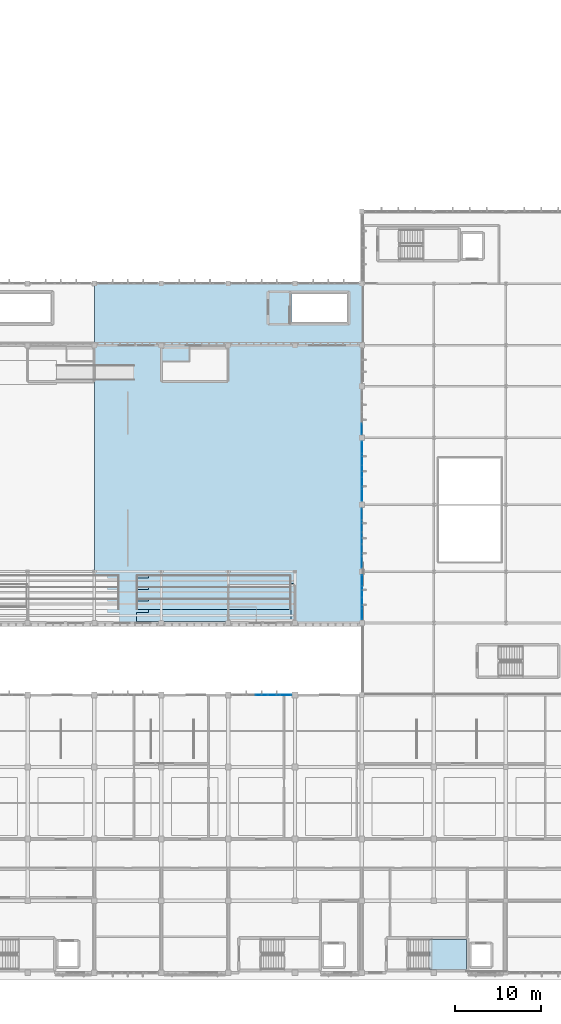
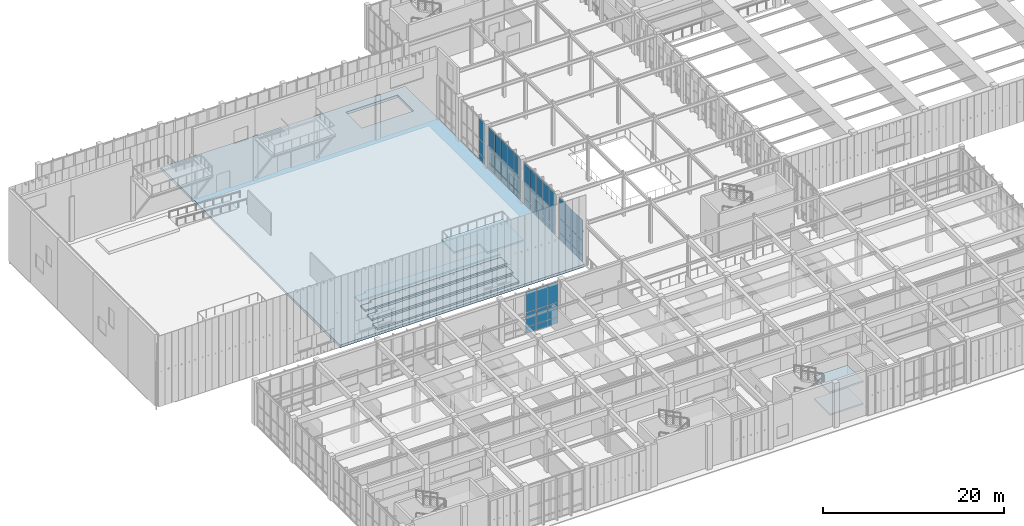
# One storey, part 56 of 105: 54 plates, 8 slabs, 6 elements without a shape of their own.
"""IFC4 building model written with IfcOpenShell, lengths in metres."""

from ifc_helpers import new_model, si_unit, direction, frame, origin, origin_2d, place, context, subcontext, project, spatial, polyline, rectangle, outline, extrude, material, layer, layer_set, type_object, element, aggregate, save


model = new_model("IFC4")

# Units and contexts
model_context = context("Model", 3, precision=1e-05, world=origin(), true_north=direction((0.0, 1.0)))
body_context = subcontext(model_context, "Body", "Model", "MODEL_VIEW")
ifc_project = project(units=[si_unit("LENGTHUNIT", "METRE"), si_unit("AREAUNIT", "SQUARE_METRE"), si_unit("VOLUMEUNIT", "CUBIC_METRE"), si_unit("PLANEANGLEUNIT", "RADIAN"), si_unit("MASSUNIT", "GRAM", prefix="KILO")], contexts=[model_context])

# Site, building, storey
site_placement = place(None, origin())
site = spatial("IfcSite", under=ifc_project, at=site_placement, CompositionType="ELEMENT")
building_placement = place(site_placement, origin())
building = spatial("IfcBuilding", under=site, at=building_placement, Name="Tizgana Railside Sports Hall", CompositionType="ELEMENT")
storey_placement = place(building_placement, frame((0.0, 0.0, 6.0)))
storey = spatial("IfcBuildingStorey", under=building, at=storey_placement, Name="L01", CompositionType="ELEMENT", Elevation=6.0)

# Stair, slabs
ifc_material_1 = material(Name="Concrete C35/45", Category="concrete")
stair_type = type_object("IfcStairType", Name="Spectator Aisle Stair 1400", PredefinedType="HALF_TURN_STAIR", material=ifc_material_1)
stair_placement = place(storey_placement, origin())
stair = element("IfcStair", 1, at=stair_placement, inside=storey, type_object=stair_type, Name="L01 Core Stair ST-03", PredefinedType="HALF_TURN_STAIR")
ifc_layer_1 = layer(ifc_material_1, 0.199951171875, Name="Concrete C35/45")
ifc_layer_set_1 = layer_set([ifc_layer_1], Name="Concrete C35/45")
slab_type_1 = type_object("IfcSlabType", Name="Core Stair Landing Slab 200", PredefinedType="LANDING", material=ifc_layer_set_1)
slab_1_placement = place(storey_placement, frame((0.0, 0.0, 1.300048828125)))
slab_1 = element("IfcSlab", 2, at=slab_1_placement, type_object=slab_type_1, Name="ST-03 landing 1", PredefinedType="LANDING", context=body_context, shape_type="SweptSolid", body=[
    extrude(outline(polyline([(62.52001953125, 0.39990234375), (66.800048828125, 0.39990234375), (66.800048828125, 3.89990234375), (62.52001953125, 3.89990234375), (62.52001953125, 0.39990234375)])), origin(), (0.0, 0.0, 1.0), 0.199951171875),
])
slab_2_placement = place(storey_placement, frame((0.0, 0.0, 4.300048828125)))
slab_2 = element("IfcSlab", 3, at=slab_2_placement, type_object=slab_type_1, Name="ST-03 landing 3", PredefinedType="LANDING", context=body_context, shape_type="SweptSolid", body=[
    extrude(outline(polyline([(62.52001953125, 0.39990234375), (66.800048828125, 0.39990234375), (66.800048828125, 3.89990234375), (62.52001953125, 3.89990234375), (62.52001953125, 0.39990234375)])), origin(), (0.0, 0.0, 1.0), 0.199951171875),
])
aggregate(stair, [slab_1, slab_2])

# Curtain wall, plates
ifc_material_2 = material(Name="Anodised aluminium and glass", Category="aluminium")
curtain_wall_type_1 = type_object("IfcCurtainWallType", Name="Unitised Curtain Wall WestHall 1560", PredefinedType="NOTDEFINED", material=ifc_material_2)
curtain_wall_1_placement = place(storey_placement, origin())
curtain_wall_1 = element("IfcCurtainWall", 4, at=curtain_wall_1_placement, inside=storey, type_object=curtain_wall_type_1, Name="L01 Curtain Wall CW-0094", PredefinedType="NOTDEFINED")
ifc_material_3 = material(Name="Double low-E laminated glass", Category="glass")
ifc_layer_2 = layer(ifc_material_3, 0.0400390625, Name="Double low-E laminated glass")
ifc_layer_set_2 = layer_set([ifc_layer_2], Name="Double low-E laminated glass")
plate_type_1 = type_object("IfcPlateType", Name="High-Span Tempered Glazing Panel 40", PredefinedType="CURTAIN_PANEL", material=ifc_layer_set_2)
plate_1_placement = place(storey_placement, frame((42.89990234375, 32.39990234375, 0.070068359375), z_axis=(0.0, 0.0, 1.0), x_axis=(1.0, 0.0, 0.0)))
plate_1 = element("IfcPlate", 5, at=plate_1_placement, type_object=plate_type_1, Name="CW-07 panel 3.1", PredefinedType="CURTAIN_PANEL", context=body_context, shape_type="SweptSolid", body=[
    extrude(rectangle(XDim=1.337890625, YDim=0.0400390625, at=origin_2d()), origin(), (0.0, 0.0, 1.0), 0.794921875),
])
plate_2_placement = place(storey_placement, frame((42.89990234375, 32.39990234375, 0.93505859375), z_axis=(0.0, 0.0, 1.0), x_axis=(1.0, 0.0, 0.0)))
plate_2 = element("IfcPlate", 6, at=plate_2_placement, type_object=plate_type_1, Name="CW-07 panel 3.2", PredefinedType="CURTAIN_PANEL", context=body_context, shape_type="SweptSolid", body=[
    extrude(rectangle(XDim=1.337890625, YDim=0.0400390625, at=origin_2d()), origin(), (0.0, 0.0, 1.0), 1.889892578125),
])
plate_3_placement = place(storey_placement, frame((42.89990234375, 32.39990234375, 2.89501953125), z_axis=(0.0, 0.0, 1.0), x_axis=(1.0, 0.0, 0.0)))
plate_3 = element("IfcPlate", 7, at=plate_3_placement, type_object=plate_type_1, Name="CW-07 panel 3.3", PredefinedType="CURTAIN_PANEL", context=body_context, shape_type="SweptSolid", body=[
    extrude(rectangle(XDim=1.337890625, YDim=0.0400390625, at=origin_2d()), origin(), (0.0, 0.0, 1.0), 2.7548828125),
])
plate_4_placement = place(storey_placement, frame((44.30810546875, 32.39990234375, 0.070068359375), z_axis=(0.0, 0.0, 1.0), x_axis=(1.0, 0.0, 0.0)))
plate_4 = element("IfcPlate", 8, at=plate_4_placement, type_object=plate_type_1, Name="CW-07 panel 4.1", PredefinedType="CURTAIN_PANEL", context=body_context, shape_type="SweptSolid", body=[
    extrude(rectangle(XDim=1.337890625, YDim=0.0400390625, at=origin_2d()), origin(), (0.0, 0.0, 1.0), 0.794921875),
])
plate_5_placement = place(storey_placement, frame((44.30810546875, 32.39990234375, 0.93505859375), z_axis=(0.0, 0.0, 1.0), x_axis=(1.0, 0.0, 0.0)))
plate_5 = element("IfcPlate", 9, at=plate_5_placement, type_object=plate_type_1, Name="CW-07 panel 4.2", PredefinedType="CURTAIN_PANEL", context=body_context, shape_type="SweptSolid", body=[
    extrude(rectangle(XDim=1.337890625, YDim=0.0400390625, at=origin_2d()), origin(), (0.0, 0.0, 1.0), 1.889892578125),
])
plate_6_placement = place(storey_placement, frame((44.30810546875, 32.39990234375, 2.89501953125), z_axis=(0.0, 0.0, 1.0), x_axis=(1.0, 0.0, 0.0)))
plate_6 = element("IfcPlate", 10, at=plate_6_placement, type_object=plate_type_1, Name="CW-07 panel 4.3", PredefinedType="CURTAIN_PANEL", context=body_context, shape_type="SweptSolid", body=[
    extrude(rectangle(XDim=1.337890625, YDim=0.0400390625, at=origin_2d()), origin(), (0.0, 0.0, 1.0), 2.7548828125),
])
plate_7_placement = place(storey_placement, frame((45.698486328125, 32.39990234375, 0.070068359375), z_axis=(0.0, 0.0, 1.0), x_axis=(1.0, 0.0, 0.0)))
plate_7 = element("IfcPlate", 11, at=plate_7_placement, type_object=plate_type_1, Name="CW-07 panel 5.1", PredefinedType="CURTAIN_PANEL", context=body_context, shape_type="SweptSolid", body=[
    extrude(rectangle(XDim=1.302978515625, YDim=0.0400390625, at=origin_2d()), origin(), (0.0, 0.0, 1.0), 0.794921875),
])
plate_8_placement = place(storey_placement, frame((45.698486328125, 32.39990234375, 0.93505859375), z_axis=(0.0, 0.0, 1.0), x_axis=(1.0, 0.0, 0.0)))
plate_8 = element("IfcPlate", 12, at=plate_8_placement, type_object=plate_type_1, Name="CW-07 panel 5.2", PredefinedType="CURTAIN_PANEL", context=body_context, shape_type="SweptSolid", body=[
    extrude(rectangle(XDim=1.302978515625, YDim=0.0400390625, at=origin_2d()), origin(), (0.0, 0.0, 1.0), 1.889892578125),
])
plate_9_placement = place(storey_placement, frame((45.698486328125, 32.39990234375, 2.89501953125), z_axis=(0.0, 0.0, 1.0), x_axis=(1.0, 0.0, 0.0)))
plate_9 = element("IfcPlate", 13, at=plate_9_placement, type_object=plate_type_1, Name="CW-07 panel 5.3", PredefinedType="CURTAIN_PANEL", context=body_context, shape_type="SweptSolid", body=[
    extrude(rectangle(XDim=1.302978515625, YDim=0.0400390625, at=origin_2d()), origin(), (0.0, 0.0, 1.0), 2.7548828125),
])
aggregate(curtain_wall_1, [plate_1, plate_2, plate_3, plate_4, plate_5, plate_6, plate_7, plate_8, plate_9])

curtain_wall_2_placement = place(storey_placement, origin())
curtain_wall_2 = element("IfcCurtainWall", 14, at=curtain_wall_2_placement, inside=storey, type_object=curtain_wall_type_1, Name="L01 Curtain Wall CW-0158", PredefinedType="NOTDEFINED")
plate_10_placement = place(storey_placement, frame((54.60009765625, 45.746826171875, 0.06005859375), z_axis=(0.0, 0.0, 1.0), x_axis=(0.0, -1.0, 0.0)))
plate_10 = element("IfcPlate", 15, at=plate_10_placement, type_object=plate_type_1, Name="CW-07 panel 1.1", PredefinedType="CURTAIN_PANEL", context=body_context, shape_type="SweptSolid", body=[
    extrude(rectangle(XDim=1.226318359375, YDim=0.0400390625, at=origin_2d()), origin(), (0.0, 0.0, 1.0), 0.81005859375),
])
plate_11_placement = place(storey_placement, frame((54.60009765625, 45.746826171875, 0.93017578125), z_axis=(0.0, 0.0, 1.0), x_axis=(0.0, -1.0, 0.0)))
plate_11 = element("IfcPlate", 16, at=plate_11_placement, type_object=plate_type_1, Name="CW-07 panel 1.2", PredefinedType="CURTAIN_PANEL", context=body_context, shape_type="SweptSolid", body=[
    extrude(rectangle(XDim=1.226318359375, YDim=0.0400390625, at=origin_2d()), origin(), (0.0, 0.0, 1.0), 1.885009765625),
])
plate_12_placement = place(storey_placement, frame((54.60009765625, 45.746826171875, 2.875), z_axis=(0.0, 0.0, 1.0), x_axis=(0.0, -1.0, 0.0)))
plate_12 = element("IfcPlate", 17, at=plate_12_placement, type_object=plate_type_1, Name="CW-07 panel 1.3", PredefinedType="CURTAIN_PANEL", context=body_context, shape_type="SweptSolid", body=[
    extrude(rectangle(XDim=1.226318359375, YDim=0.0400390625, at=origin_2d()), origin(), (0.0, 0.0, 1.0), 2.7548828125),
])
plate_13_placement = place(storey_placement, frame((54.60009765625, 44.445556640625, 0.06005859375), z_axis=(0.0, 0.0, 1.0), x_axis=(0.0, -1.0, 0.0)))
plate_13 = element("IfcPlate", 18, at=plate_13_placement, type_object=plate_type_1, Name="CW-07 panel 2.1", PredefinedType="CURTAIN_PANEL", context=body_context, shape_type="SweptSolid", body=[
    extrude(rectangle(XDim=1.25634765625, YDim=0.0400390625, at=origin_2d()), origin(), (0.0, 0.0, 1.0), 0.81005859375),
])
plate_14_placement = place(storey_placement, frame((54.60009765625, 44.445556640625, 0.93017578125), z_axis=(0.0, 0.0, 1.0), x_axis=(0.0, -1.0, 0.0)))
plate_14 = element("IfcPlate", 19, at=plate_14_placement, type_object=plate_type_1, Name="CW-07 panel 2.2", PredefinedType="CURTAIN_PANEL", context=body_context, shape_type="SweptSolid", body=[
    extrude(rectangle(XDim=1.25634765625, YDim=0.0400390625, at=origin_2d()), origin(), (0.0, 0.0, 1.0), 1.885009765625),
])
plate_15_placement = place(storey_placement, frame((54.60009765625, 44.445556640625, 2.875), z_axis=(0.0, 0.0, 1.0), x_axis=(0.0, -1.0, 0.0)))
plate_15 = element("IfcPlate", 20, at=plate_15_placement, type_object=plate_type_1, Name="CW-07 panel 2.3", PredefinedType="CURTAIN_PANEL", context=body_context, shape_type="SweptSolid", body=[
    extrude(rectangle(XDim=1.25634765625, YDim=0.0400390625, at=origin_2d()), origin(), (0.0, 0.0, 1.0), 2.7548828125),
])
plate_16_placement = place(storey_placement, frame((54.60009765625, 43.12939453125, 0.06005859375), z_axis=(0.0, 0.0, 1.0), x_axis=(0.0, -1.0, 0.0)))
plate_16 = element("IfcPlate", 21, at=plate_16_placement, type_object=plate_type_1, Name="CW-07 panel 3.1", PredefinedType="CURTAIN_PANEL", context=body_context, shape_type="SweptSolid", body=[
    extrude(rectangle(XDim=1.25634765625, YDim=0.0400390625, at=origin_2d()), origin(), (0.0, 0.0, 1.0), 0.81005859375),
])
plate_17_placement = place(storey_placement, frame((54.60009765625, 43.12939453125, 0.93017578125), z_axis=(0.0, 0.0, 1.0), x_axis=(0.0, -1.0, 0.0)))
plate_17 = element("IfcPlate", 22, at=plate_17_placement, type_object=plate_type_1, Name="CW-07 panel 3.2", PredefinedType="CURTAIN_PANEL", context=body_context, shape_type="SweptSolid", body=[
    extrude(rectangle(XDim=1.25634765625, YDim=0.0400390625, at=origin_2d()), origin(), (0.0, 0.0, 1.0), 1.885009765625),
])
plate_18_placement = place(storey_placement, frame((54.60009765625, 43.12939453125, 2.875), z_axis=(0.0, 0.0, 1.0), x_axis=(0.0, -1.0, 0.0)))
plate_18 = element("IfcPlate", 23, at=plate_18_placement, type_object=plate_type_1, Name="CW-07 panel 3.3", PredefinedType="CURTAIN_PANEL", context=body_context, shape_type="SweptSolid", body=[
    extrude(rectangle(XDim=1.25634765625, YDim=0.0400390625, at=origin_2d()), origin(), (0.0, 0.0, 1.0), 2.7548828125),
])
plate_19_placement = place(storey_placement, frame((54.60009765625, 41.828125, 0.06005859375), z_axis=(0.0, 0.0, 1.0), x_axis=(0.0, -1.0, 0.0)))
plate_19 = element("IfcPlate", 24, at=plate_19_placement, type_object=plate_type_1, Name="CW-07 panel 4.1", PredefinedType="CURTAIN_PANEL", context=body_context, shape_type="SweptSolid", body=[
    extrude(rectangle(XDim=1.226318359375, YDim=0.0400390625, at=origin_2d()), origin(), (0.0, 0.0, 1.0), 0.81005859375),
])
plate_20_placement = place(storey_placement, frame((54.60009765625, 41.828125, 0.93017578125), z_axis=(0.0, 0.0, 1.0), x_axis=(0.0, -1.0, 0.0)))
plate_20 = element("IfcPlate", 25, at=plate_20_placement, type_object=plate_type_1, Name="CW-07 panel 4.2", PredefinedType="CURTAIN_PANEL", context=body_context, shape_type="SweptSolid", body=[
    extrude(rectangle(XDim=1.226318359375, YDim=0.0400390625, at=origin_2d()), origin(), (0.0, 0.0, 1.0), 1.885009765625),
])
plate_21_placement = place(storey_placement, frame((54.60009765625, 41.828125, 2.875), z_axis=(0.0, 0.0, 1.0), x_axis=(0.0, -1.0, 0.0)))
plate_21 = element("IfcPlate", 26, at=plate_21_placement, type_object=plate_type_1, Name="CW-07 panel 4.3", PredefinedType="CURTAIN_PANEL", context=body_context, shape_type="SweptSolid", body=[
    extrude(rectangle(XDim=1.226318359375, YDim=0.0400390625, at=origin_2d()), origin(), (0.0, 0.0, 1.0), 2.7548828125),
])
aggregate(curtain_wall_2, [plate_10, plate_11, plate_12, plate_13, plate_14, plate_15, plate_16, plate_17, plate_18, plate_19, plate_20, plate_21])

curtain_wall_type_2 = type_object("IfcCurtainWallType", Name="Unitised Curtain Wall Studio 1400", PredefinedType="NOTDEFINED", material=ifc_material_2)
curtain_wall_3_placement = place(storey_placement, origin())
curtain_wall_3 = element("IfcCurtainWall", 27, at=curtain_wall_3_placement, inside=storey, type_object=curtain_wall_type_2, Name="L01 Curtain Wall CW-0162", PredefinedType="NOTDEFINED")
plate_22_placement = place(storey_placement, frame((54.60009765625, 61.301025390625, 0.06005859375), z_axis=(0.0, 0.0, 1.0), x_axis=(0.0, -1.0, 0.0)))
plate_22 = element("IfcPlate", 28, at=plate_22_placement, type_object=plate_type_1, Name="CW-03 panel 1.1", PredefinedType="CURTAIN_PANEL", context=body_context, shape_type="SweptSolid", body=[
    extrude(rectangle(XDim=1.318115234375, YDim=0.0400390625, at=origin_2d()), origin(), (0.0, 0.0, 1.0), 0.81005859375),
])
plate_23_placement = place(storey_placement, frame((54.60009765625, 61.301025390625, 0.93017578125), z_axis=(0.0, 0.0, 1.0), x_axis=(0.0, -1.0, 0.0)))
plate_23 = element("IfcPlate", 29, at=plate_23_placement, type_object=plate_type_1, Name="CW-03 panel 1.2", PredefinedType="CURTAIN_PANEL", context=body_context, shape_type="SweptSolid", body=[
    extrude(rectangle(XDim=1.318115234375, YDim=0.0400390625, at=origin_2d()), origin(), (0.0, 0.0, 1.0), 1.885009765625),
])
plate_24_placement = place(storey_placement, frame((54.60009765625, 61.301025390625, 2.875), z_axis=(0.0, 0.0, 1.0), x_axis=(0.0, -1.0, 0.0)))
plate_24 = element("IfcPlate", 30, at=plate_24_placement, type_object=plate_type_1, Name="CW-03 panel 1.3", PredefinedType="CURTAIN_PANEL", context=body_context, shape_type="SweptSolid", body=[
    extrude(rectangle(XDim=1.318115234375, YDim=0.0400390625, at=origin_2d()), origin(), (0.0, 0.0, 1.0), 2.7548828125),
])
plate_25_placement = place(storey_placement, frame((54.60009765625, 59.907958984375, 0.06005859375), z_axis=(0.0, 0.0, 1.0), x_axis=(0.0, -1.0, 0.0)))
plate_25 = element("IfcPlate", 31, at=plate_25_placement, type_object=plate_type_1, Name="CW-03 panel 2.1", PredefinedType="CURTAIN_PANEL", context=body_context, shape_type="SweptSolid", body=[
    extrude(rectangle(XDim=1.347900390625, YDim=0.0400390625, at=origin_2d()), origin(), (0.0, 0.0, 1.0), 0.81005859375),
])
plate_26_placement = place(storey_placement, frame((54.60009765625, 59.907958984375, 0.93017578125), z_axis=(0.0, 0.0, 1.0), x_axis=(0.0, -1.0, 0.0)))
plate_26 = element("IfcPlate", 32, at=plate_26_placement, type_object=plate_type_1, Name="CW-03 panel 2.2", PredefinedType="CURTAIN_PANEL", context=body_context, shape_type="SweptSolid", body=[
    extrude(rectangle(XDim=1.347900390625, YDim=0.0400390625, at=origin_2d()), origin(), (0.0, 0.0, 1.0), 1.885009765625),
])
plate_27_placement = place(storey_placement, frame((54.60009765625, 59.907958984375, 2.875), z_axis=(0.0, 0.0, 1.0), x_axis=(0.0, -1.0, 0.0)))
plate_27 = element("IfcPlate", 33, at=plate_27_placement, type_object=plate_type_1, Name="CW-03 panel 2.3", PredefinedType="CURTAIN_PANEL", context=body_context, shape_type="SweptSolid", body=[
    extrude(rectangle(XDim=1.347900390625, YDim=0.0400390625, at=origin_2d()), origin(), (0.0, 0.0, 1.0), 2.7548828125),
])
plate_28_placement = place(storey_placement, frame((54.60009765625, 58.5, 0.06005859375), z_axis=(0.0, 0.0, 1.0), x_axis=(0.0, -1.0, 0.0)))
plate_28 = element("IfcPlate", 34, at=plate_28_placement, type_object=plate_type_1, Name="CW-03 panel 3.1", PredefinedType="CURTAIN_PANEL", context=body_context, shape_type="SweptSolid", body=[
    extrude(rectangle(XDim=1.347900390625, YDim=0.0400390625, at=origin_2d()), origin(), (0.0, 0.0, 1.0), 0.81005859375),
])
plate_29_placement = place(storey_placement, frame((54.60009765625, 58.5, 0.93017578125), z_axis=(0.0, 0.0, 1.0), x_axis=(0.0, -1.0, 0.0)))
plate_29 = element("IfcPlate", 35, at=plate_29_placement, type_object=plate_type_1, Name="CW-03 panel 3.2", PredefinedType="CURTAIN_PANEL", context=body_context, shape_type="SweptSolid", body=[
    extrude(rectangle(XDim=1.347900390625, YDim=0.0400390625, at=origin_2d()), origin(), (0.0, 0.0, 1.0), 1.885009765625),
])
plate_30_placement = place(storey_placement, frame((54.60009765625, 58.5, 2.875), z_axis=(0.0, 0.0, 1.0), x_axis=(0.0, -1.0, 0.0)))
plate_30 = element("IfcPlate", 36, at=plate_30_placement, type_object=plate_type_1, Name="CW-03 panel 3.3", PredefinedType="CURTAIN_PANEL", context=body_context, shape_type="SweptSolid", body=[
    extrude(rectangle(XDim=1.347900390625, YDim=0.0400390625, at=origin_2d()), origin(), (0.0, 0.0, 1.0), 2.7548828125),
])
plate_31_placement = place(storey_placement, frame((54.60009765625, 57.092041015625, 0.06005859375), z_axis=(0.0, 0.0, 1.0), x_axis=(0.0, -1.0, 0.0)))
plate_31 = element("IfcPlate", 37, at=plate_31_placement, type_object=plate_type_1, Name="CW-03 panel 4.1", PredefinedType="CURTAIN_PANEL", context=body_context, shape_type="SweptSolid", body=[
    extrude(rectangle(XDim=1.347900390625, YDim=0.0400390625, at=origin_2d()), origin(), (0.0, 0.0, 1.0), 0.81005859375),
])
plate_32_placement = place(storey_placement, frame((54.60009765625, 57.092041015625, 0.93017578125), z_axis=(0.0, 0.0, 1.0), x_axis=(0.0, -1.0, 0.0)))
plate_32 = element("IfcPlate", 38, at=plate_32_placement, type_object=plate_type_1, Name="CW-03 panel 4.2", PredefinedType="CURTAIN_PANEL", context=body_context, shape_type="SweptSolid", body=[
    extrude(rectangle(XDim=1.347900390625, YDim=0.0400390625, at=origin_2d()), origin(), (0.0, 0.0, 1.0), 1.885009765625),
])
plate_33_placement = place(storey_placement, frame((54.60009765625, 57.092041015625, 2.875), z_axis=(0.0, 0.0, 1.0), x_axis=(0.0, -1.0, 0.0)))
plate_33 = element("IfcPlate", 39, at=plate_33_placement, type_object=plate_type_1, Name="CW-03 panel 4.3", PredefinedType="CURTAIN_PANEL", context=body_context, shape_type="SweptSolid", body=[
    extrude(rectangle(XDim=1.347900390625, YDim=0.0400390625, at=origin_2d()), origin(), (0.0, 0.0, 1.0), 2.7548828125),
])
plate_34_placement = place(storey_placement, frame((54.60009765625, 55.698974609375, 0.06005859375), z_axis=(0.0, 0.0, 1.0), x_axis=(0.0, -1.0, 0.0)))
plate_34 = element("IfcPlate", 40, at=plate_34_placement, type_object=plate_type_1, Name="CW-03 panel 5.1", PredefinedType="CURTAIN_PANEL", context=body_context, shape_type="SweptSolid", body=[
    extrude(rectangle(XDim=1.318115234375, YDim=0.0400390625, at=origin_2d()), origin(), (0.0, 0.0, 1.0), 0.81005859375),
])
plate_35_placement = place(storey_placement, frame((54.60009765625, 55.698974609375, 0.93017578125), z_axis=(0.0, 0.0, 1.0), x_axis=(0.0, -1.0, 0.0)))
plate_35 = element("IfcPlate", 41, at=plate_35_placement, type_object=plate_type_1, Name="CW-03 panel 5.2", PredefinedType="CURTAIN_PANEL", context=body_context, shape_type="SweptSolid", body=[
    extrude(rectangle(XDim=1.318115234375, YDim=0.0400390625, at=origin_2d()), origin(), (0.0, 0.0, 1.0), 1.885009765625),
])
plate_36_placement = place(storey_placement, frame((54.60009765625, 55.698974609375, 2.875), z_axis=(0.0, 0.0, 1.0), x_axis=(0.0, -1.0, 0.0)))
plate_36 = element("IfcPlate", 42, at=plate_36_placement, type_object=plate_type_1, Name="CW-03 panel 5.3", PredefinedType="CURTAIN_PANEL", context=body_context, shape_type="SweptSolid", body=[
    extrude(rectangle(XDim=1.318115234375, YDim=0.0400390625, at=origin_2d()), origin(), (0.0, 0.0, 1.0), 2.7548828125),
])
aggregate(curtain_wall_3, [plate_22, plate_23, plate_24, plate_25, plate_26, plate_27, plate_28, plate_29, plate_30, plate_31, plate_32, plate_33, plate_34, plate_35, plate_36])

# Slab
ifc_material_4 = material(Name="Concrete C40/50", Category="concrete")
ifc_layer_3 = layer(ifc_material_4, 0.360107421875, Name="Concrete C40/50")
ifc_layer_set_3 = layer_set([ifc_layer_3], Name="Concrete C40/50")
slab_type_2 = type_object("IfcSlabType", Name="Post-Tensioned Court Transfer Slab 360", PredefinedType="FLOOR", material=ifc_layer_set_3)
slab_3_placement = place(storey_placement, frame((0.0, 0.0, -0.360107421875)))
element("IfcSlab", 43, at=slab_3_placement, inside=storey, type_object=slab_type_2, Name="L01 V1 East Court Slab SLB-0017", PredefinedType="FLOOR", context=body_context, shape_type="SweptSolid", body=[
    extrude(outline(polyline([(23.39990234375, 40.800048828125), (54.60009765625, 40.800048828125), (54.60009765625, 80.39990234375), (23.39990234375, 80.39990234375), (23.39990234375, 40.800048828125)]), holes=[polyline([(46.3798828125, 75.800048828125), (53.0, 75.800048828125), (53.0, 79.300048828125), (46.3798828125, 79.300048828125), (46.3798828125, 75.800048828125)])]), origin(), (0.0, 0.0, 1.0), 0.360107421875),
])

# Curtain wall, plates
curtain_wall_type_3 = type_object("IfcCurtainWallType", Name="Unitised Curtain Wall Concourse 1500", PredefinedType="NOTDEFINED", material=ifc_material_2)
curtain_wall_4_placement = place(storey_placement, origin())
curtain_wall_4 = element("IfcCurtainWall", 44, at=curtain_wall_4_placement, inside=storey, type_object=curtain_wall_type_3, Name="L01 Curtain Wall CW-0160", PredefinedType="NOTDEFINED")
ifc_layer_4 = layer(ifc_material_3, 0.028076171875, Name="Double low-E laminated glass")
ifc_layer_set_4 = layer_set([ifc_layer_4], Name="Double low-E laminated glass")
plate_type_2 = type_object("IfcPlateType", Name="Solar Low-E Glazing Panel 28", PredefinedType="CURTAIN_PANEL", material=ifc_layer_set_4)
plate_37_placement = place(storey_placement, frame((54.60009765625, 53.49853515625, 0.070068359375), z_axis=(0.0, 0.0, 1.0), x_axis=(0.0, -1.0, 0.0)))
plate_37 = element("IfcPlate", 45, at=plate_37_placement, type_object=plate_type_2, Name="CW-01 panel 1.1", PredefinedType="CURTAIN_PANEL", context=body_context, shape_type="SweptSolid", body=[
    extrude(rectangle(XDim=1.302978515625, YDim=0.028076171875, at=origin_2d()), origin(), (0.0, 0.0, 1.0), 0.794921875),
])
plate_38_placement = place(storey_placement, frame((54.60009765625, 53.49853515625, 0.93505859375), z_axis=(0.0, 0.0, 1.0), x_axis=(0.0, -1.0, 0.0)))
plate_38 = element("IfcPlate", 46, at=plate_38_placement, type_object=plate_type_2, Name="CW-01 panel 1.2", PredefinedType="CURTAIN_PANEL", context=body_context, shape_type="SweptSolid", body=[
    extrude(rectangle(XDim=1.302978515625, YDim=0.028076171875, at=origin_2d()), origin(), (0.0, 0.0, 1.0), 1.875),
])
plate_39_placement = place(storey_placement, frame((54.60009765625, 53.49853515625, 2.8798828125), z_axis=(0.0, 0.0, 1.0), x_axis=(0.0, -1.0, 0.0)))
plate_39 = element("IfcPlate", 47, at=plate_39_placement, type_object=plate_type_2, Name="CW-01 panel 1.3", PredefinedType="CURTAIN_PANEL", context=body_context, shape_type="SweptSolid", body=[
    extrude(rectangle(XDim=1.302978515625, YDim=0.028076171875, at=origin_2d()), origin(), (0.0, 0.0, 1.0), 2.739990234375),
])
plate_40_placement = place(storey_placement, frame((54.60009765625, 52.10791015625, 0.070068359375), z_axis=(0.0, 0.0, 1.0), x_axis=(0.0, -1.0, 0.0)))
plate_40 = element("IfcPlate", 48, at=plate_40_placement, type_object=plate_type_2, Name="CW-01 panel 2.1", PredefinedType="CURTAIN_PANEL", context=body_context, shape_type="SweptSolid", body=[
    extrude(rectangle(XDim=1.337890625, YDim=0.028076171875, at=origin_2d()), origin(), (0.0, 0.0, 1.0), 0.794921875),
])
plate_41_placement = place(storey_placement, frame((54.60009765625, 52.10791015625, 0.93505859375), z_axis=(0.0, 0.0, 1.0), x_axis=(0.0, -1.0, 0.0)))
plate_41 = element("IfcPlate", 49, at=plate_41_placement, type_object=plate_type_2, Name="CW-01 panel 2.2", PredefinedType="CURTAIN_PANEL", context=body_context, shape_type="SweptSolid", body=[
    extrude(rectangle(XDim=1.337890625, YDim=0.028076171875, at=origin_2d()), origin(), (0.0, 0.0, 1.0), 1.875),
])
plate_42_placement = place(storey_placement, frame((54.60009765625, 52.10791015625, 2.8798828125), z_axis=(0.0, 0.0, 1.0), x_axis=(0.0, -1.0, 0.0)))
plate_42 = element("IfcPlate", 50, at=plate_42_placement, type_object=plate_type_2, Name="CW-01 panel 2.3", PredefinedType="CURTAIN_PANEL", context=body_context, shape_type="SweptSolid", body=[
    extrude(rectangle(XDim=1.337890625, YDim=0.028076171875, at=origin_2d()), origin(), (0.0, 0.0, 1.0), 2.739990234375),
])
plate_43_placement = place(storey_placement, frame((54.60009765625, 50.699951171875, 0.070068359375), z_axis=(0.0, 0.0, 1.0), x_axis=(0.0, -1.0, 0.0)))
plate_43 = element("IfcPlate", 51, at=plate_43_placement, type_object=plate_type_2, Name="CW-01 panel 3.1", PredefinedType="CURTAIN_PANEL", context=body_context, shape_type="SweptSolid", body=[
    extrude(rectangle(XDim=1.337890625, YDim=0.028076171875, at=origin_2d()), origin(), (0.0, 0.0, 1.0), 0.794921875),
])
plate_44_placement = place(storey_placement, frame((54.60009765625, 50.699951171875, 0.93505859375), z_axis=(0.0, 0.0, 1.0), x_axis=(0.0, -1.0, 0.0)))
plate_44 = element("IfcPlate", 52, at=plate_44_placement, type_object=plate_type_2, Name="CW-01 panel 3.2", PredefinedType="CURTAIN_PANEL", context=body_context, shape_type="SweptSolid", body=[
    extrude(rectangle(XDim=1.337890625, YDim=0.028076171875, at=origin_2d()), origin(), (0.0, 0.0, 1.0), 1.875),
])
plate_45_placement = place(storey_placement, frame((54.60009765625, 50.699951171875, 2.8798828125), z_axis=(0.0, 0.0, 1.0), x_axis=(0.0, -1.0, 0.0)))
plate_45 = element("IfcPlate", 53, at=plate_45_placement, type_object=plate_type_2, Name="CW-01 panel 3.3", PredefinedType="CURTAIN_PANEL", context=body_context, shape_type="SweptSolid", body=[
    extrude(rectangle(XDim=1.337890625, YDim=0.028076171875, at=origin_2d()), origin(), (0.0, 0.0, 1.0), 2.739990234375),
])
plate_46_placement = place(storey_placement, frame((54.60009765625, 49.2919921875, 0.070068359375), z_axis=(0.0, 0.0, 1.0), x_axis=(0.0, -1.0, 0.0)))
plate_46 = element("IfcPlate", 54, at=plate_46_placement, type_object=plate_type_2, Name="CW-01 panel 4.1", PredefinedType="CURTAIN_PANEL", context=body_context, shape_type="SweptSolid", body=[
    extrude(rectangle(XDim=1.337890625, YDim=0.028076171875, at=origin_2d()), origin(), (0.0, 0.0, 1.0), 0.794921875),
])
plate_47_placement = place(storey_placement, frame((54.60009765625, 49.2919921875, 0.93505859375), z_axis=(0.0, 0.0, 1.0), x_axis=(0.0, -1.0, 0.0)))
plate_47 = element("IfcPlate", 55, at=plate_47_placement, type_object=plate_type_2, Name="CW-01 panel 4.2", PredefinedType="CURTAIN_PANEL", context=body_context, shape_type="SweptSolid", body=[
    extrude(rectangle(XDim=1.337890625, YDim=0.028076171875, at=origin_2d()), origin(), (0.0, 0.0, 1.0), 1.875),
])
plate_48_placement = place(storey_placement, frame((54.60009765625, 49.2919921875, 2.8798828125), z_axis=(0.0, 0.0, 1.0), x_axis=(0.0, -1.0, 0.0)))
plate_48 = element("IfcPlate", 56, at=plate_48_placement, type_object=plate_type_2, Name="CW-01 panel 4.3", PredefinedType="CURTAIN_PANEL", context=body_context, shape_type="SweptSolid", body=[
    extrude(rectangle(XDim=1.337890625, YDim=0.028076171875, at=origin_2d()), origin(), (0.0, 0.0, 1.0), 2.739990234375),
])
plate_49_placement = place(storey_placement, frame((54.60009765625, 47.901611328125, 0.070068359375), z_axis=(0.0, 0.0, 1.0), x_axis=(0.0, -1.0, 0.0)))
plate_49 = element("IfcPlate", 57, at=plate_49_placement, type_object=plate_type_2, Name="CW-01 panel 5.1", PredefinedType="CURTAIN_PANEL", context=body_context, shape_type="SweptSolid", body=[
    extrude(rectangle(XDim=1.302978515625, YDim=0.028076171875, at=origin_2d()), origin(), (0.0, 0.0, 1.0), 0.794921875),
])
plate_50_placement = place(storey_placement, frame((54.60009765625, 47.901611328125, 0.93505859375), z_axis=(0.0, 0.0, 1.0), x_axis=(0.0, -1.0, 0.0)))
plate_50 = element("IfcPlate", 58, at=plate_50_placement, type_object=plate_type_2, Name="CW-01 panel 5.2", PredefinedType="CURTAIN_PANEL", context=body_context, shape_type="SweptSolid", body=[
    extrude(rectangle(XDim=1.302978515625, YDim=0.028076171875, at=origin_2d()), origin(), (0.0, 0.0, 1.0), 1.875),
])
plate_51_placement = place(storey_placement, frame((54.60009765625, 47.901611328125, 2.8798828125), z_axis=(0.0, 0.0, 1.0), x_axis=(0.0, -1.0, 0.0)))
plate_51 = element("IfcPlate", 59, at=plate_51_placement, type_object=plate_type_2, Name="CW-01 panel 5.3", PredefinedType="CURTAIN_PANEL", context=body_context, shape_type="SweptSolid", body=[
    extrude(rectangle(XDim=1.302978515625, YDim=0.028076171875, at=origin_2d()), origin(), (0.0, 0.0, 1.0), 2.739990234375),
])
aggregate(curtain_wall_4, [plate_37, plate_38, plate_39, plate_40, plate_41, plate_42, plate_43, plate_44, plate_45, plate_46, plate_47, plate_48, plate_49, plate_50, plate_51])

curtain_wall_type_4 = type_object("IfcCurtainWallType", Name="Unitised Curtain Wall Clinic 1200", PredefinedType="NOTDEFINED", material=ifc_material_2)
curtain_wall_5_placement = place(storey_placement, origin())
curtain_wall_5 = element("IfcCurtainWall", 60, at=curtain_wall_5_placement, inside=storey, type_object=curtain_wall_type_4, Name="L01 Curtain Wall CW-0164", PredefinedType="NOTDEFINED")
plate_52_placement = place(storey_placement, frame((54.60009765625, 63.449951171875, 0.06005859375), z_axis=(0.0, 0.0, 1.0), x_axis=(0.0, -1.0, 0.0)))
plate_52 = element("IfcPlate", 61, at=plate_52_placement, type_object=plate_type_2, Name="CW-05 panel 4.1", PredefinedType="CURTAIN_PANEL", context=body_context, shape_type="SweptSolid", body=[
    extrude(rectangle(XDim=1.219970703125, YDim=0.028076171875, at=origin_2d()), origin(), (0.0, 0.0, 1.0), 0.81005859375),
])
plate_53_placement = place(storey_placement, frame((54.60009765625, 63.449951171875, 0.93017578125), z_axis=(0.0, 0.0, 1.0), x_axis=(0.0, -1.0, 0.0)))
plate_53 = element("IfcPlate", 62, at=plate_53_placement, type_object=plate_type_2, Name="CW-05 panel 4.2", PredefinedType="CURTAIN_PANEL", context=body_context, shape_type="SweptSolid", body=[
    extrude(rectangle(XDim=1.219970703125, YDim=0.028076171875, at=origin_2d()), origin(), (0.0, 0.0, 1.0), 1.885009765625),
])
plate_54_placement = place(storey_placement, frame((54.60009765625, 63.449951171875, 2.875), z_axis=(0.0, 0.0, 1.0), x_axis=(0.0, -1.0, 0.0)))
plate_54 = element("IfcPlate", 63, at=plate_54_placement, type_object=plate_type_2, Name="CW-05 panel 4.3", PredefinedType="CURTAIN_PANEL", context=body_context, shape_type="SweptSolid", body=[
    extrude(rectangle(XDim=1.219970703125, YDim=0.028076171875, at=origin_2d()), origin(), (0.0, 0.0, 1.0), 2.7548828125),
])
aggregate(curtain_wall_5, [plate_52, plate_53, plate_54])

# Slabs
ifc_material_5 = material(Name="Precast concrete C40/50", Category="concrete")
ifc_layer_5 = layer(ifc_material_5, 0.2099609375, Name="Precast concrete C40/50")
ifc_layer_set_5 = layer_set([ifc_layer_5], Name="Precast concrete C40/50")
slab_type_3 = type_object("IfcSlabType", Name="Spectator Seating Tier Slab 210", PredefinedType="USERDEFINED", material=ifc_layer_set_5)
slab_4_placement = place(storey_placement, frame((0.0, 0.0, 0.2099609375)))
element("IfcSlab", 64, at=slab_4_placement, inside=storey, type_object=slab_type_3, Name="L01 Court 1 South Stand E1 SLB-0048", ObjectType="SEATING_TIER", PredefinedType="USERDEFINED", context=body_context, shape_type="SweptSolid", body=[
    extrude(outline(polyline([(28.300048828125, 41.0), (46.35009765625, 41.0), (46.35009765625, 42.35009765625), (29.699951171875, 42.35009765625), (29.699951171875, 42.0), (28.300048828125, 42.0), (28.300048828125, 41.0)])), origin(), (0.0, 0.0, 1.0), 0.2099609375),
])
slab_5_placement = place(storey_placement, frame((0.0, 0.0, 0.6298828125)))
element("IfcSlab", 65, at=slab_5_placement, inside=storey, type_object=slab_type_3, Name="L01 Court 1 South Stand E2 SLB-0050", ObjectType="SEATING_TIER", PredefinedType="USERDEFINED", context=body_context, shape_type="SweptSolid", body=[
    extrude(outline(polyline([(28.300048828125, 42.35009765625), (46.35009765625, 42.35009765625), (46.35009765625, 43.699951171875), (29.699951171875, 43.699951171875), (29.699951171875, 43.35009765625), (28.300048828125, 43.35009765625), (28.300048828125, 42.35009765625)])), origin(), (0.0, 0.0, 1.0), 0.210205078125),
])
ifc_layer_6 = layer(ifc_material_1, 0.22998046875, Name="Concrete C35/45")
ifc_layer_set_6 = layer_set([ifc_layer_6], Name="Concrete C35/45")
slab_type_4 = type_object("IfcSlabType", Name="Suspended Gallery Floor Slab 230", PredefinedType="FLOOR", material=ifc_layer_set_6)
slab_6_placement = place(storey_placement, frame((0.0, 0.0, 5.77001953125)))
element("IfcSlab", 66, at=slab_6_placement, inside=storey, type_object=slab_type_4, Name="L01 V1 Catwalk SE SLB-0116", PredefinedType="FLOOR", context=body_context, shape_type="SweptSolid", body=[
    extrude(outline(polyline([(42.199951171875, 40.800048828125), (46.800048828125, 40.800048828125), (46.800048828125, 45.39990234375), (39.0, 45.39990234375), (39.0, 42.60009765625), (42.199951171875, 42.60009765625), (42.199951171875, 40.800048828125)])), origin(), (0.0, 0.0, 1.0), 0.22998046875),
])
ifc_layer_7 = layer(ifc_material_5, 0.18994140625, Name="Precast concrete C40/50")
ifc_layer_set_7 = layer_set([ifc_layer_7], Name="Precast concrete C40/50")
slab_type_5 = type_object("IfcSlabType", Name="Upper Bowl Seating Tier Slab 190", PredefinedType="USERDEFINED", material=ifc_layer_set_7)
slab_7_placement = place(storey_placement, frame((0.0, 0.0, 1.070068359375)))
element("IfcSlab", 67, at=slab_7_placement, inside=storey, type_object=slab_type_5, Name="L01 Court 1 South Stand E3 SLB-0052", ObjectType="SEATING_TIER", PredefinedType="USERDEFINED", context=body_context, shape_type="SweptSolid", body=[
    extrude(outline(polyline([(28.300048828125, 43.699951171875), (46.35009765625, 43.699951171875), (46.35009765625, 45.050048828125), (29.699951171875, 45.050048828125), (29.699951171875, 44.699951171875), (28.300048828125, 44.699951171875), (28.300048828125, 43.699951171875)])), origin(), (0.0, 0.0, 1.0), 0.18994140625),
])
slab_8_placement = place(storey_placement, frame((0.0, 0.0, 1.489990234375)))
element("IfcSlab", 68, at=slab_8_placement, inside=storey, type_object=slab_type_5, Name="L01 Court 1 South Stand E4 SLB-0054", ObjectType="SEATING_TIER", PredefinedType="USERDEFINED", context=body_context, shape_type="SweptSolid", body=[
    extrude(outline(polyline([(28.300048828125, 45.050048828125), (46.35009765625, 45.050048828125), (46.35009765625, 46.39990234375), (29.699951171875, 46.39990234375), (29.699951171875, 46.050048828125), (28.300048828125, 46.050048828125), (28.300048828125, 45.050048828125)])), origin(), (0.0, 0.0, 1.0), 0.18994140625),
])

save(model, "model.ifc")
